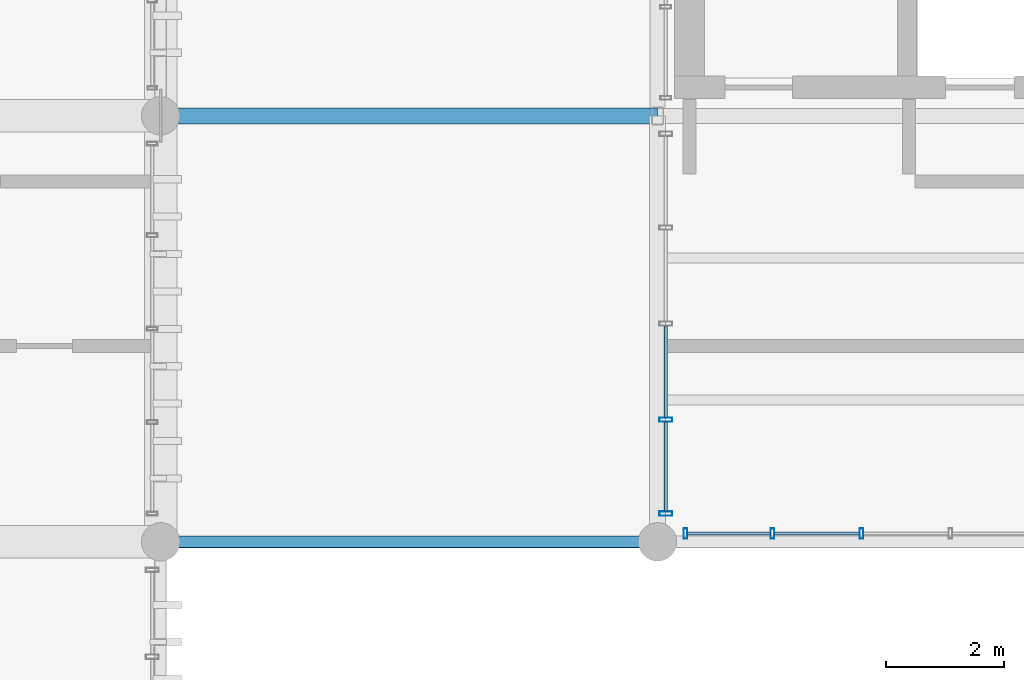
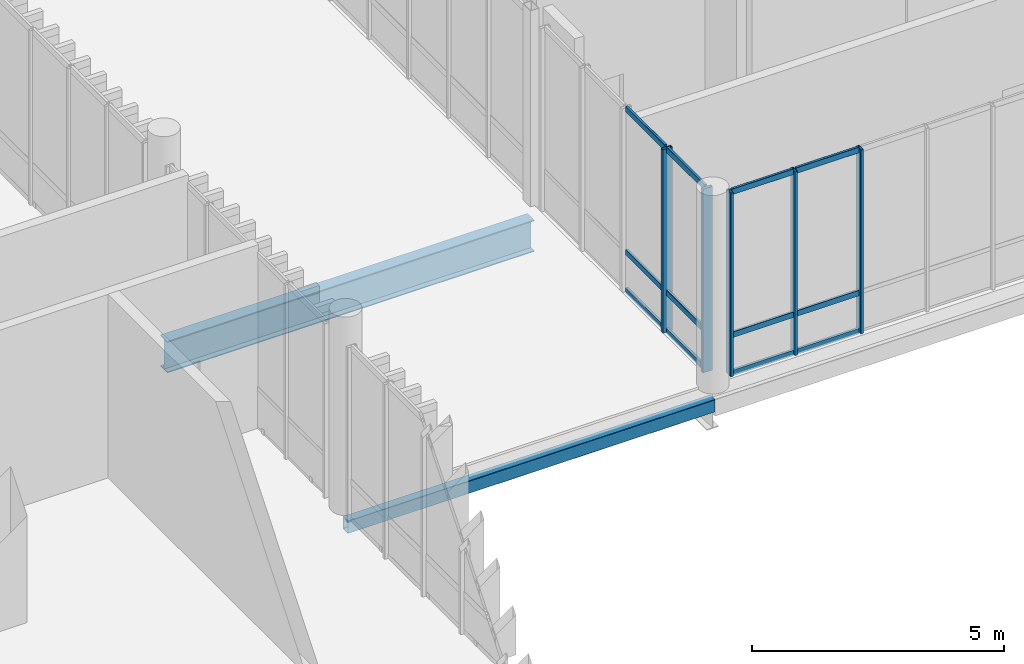
# One storey, part 21 of 81: 17 members, 2 beams, 2 elements without a shape of their own.
"""IFC4 building model written with IfcOpenShell, lengths in metres."""

from ifc_helpers import new_model, si_unit, direction, frame, origin_with_axes, origin_2d_with_axis, place, context, subcontext, project, spatial, hollow_rectangle, i_section, extrude, material, material_profile, profile_set, type_object, element, aggregate, save


model = new_model("IFC4")

# Units and contexts
model_context = context("Model", 3, precision=1e-05, world=origin_with_axes(), true_north=direction((0.0, 1.0)))
body_context = subcontext(model_context, "Body", "Model", "MODEL_VIEW")
ifc_project = project(units=[si_unit("LENGTHUNIT", "METRE"), si_unit("AREAUNIT", "SQUARE_METRE"), si_unit("VOLUMEUNIT", "CUBIC_METRE"), si_unit("PLANEANGLEUNIT", "RADIAN"), si_unit("MASSUNIT", "GRAM", prefix="KILO"), si_unit("THERMODYNAMICTEMPERATUREUNIT", "KELVIN")], contexts=[model_context])

# Site, building, storey
site_placement = place(None, origin_with_axes())
site = spatial("IfcSite", under=ifc_project, at=site_placement, CompositionType="ELEMENT")
building_placement = place(site_placement, origin_with_axes())
building = spatial("IfcBuilding", under=site, at=building_placement, Name="Montbau Bow Law Courts", CompositionType="ELEMENT")
storey_placement = place(building_placement, frame((0.0, 0.0, 24.9), z_axis=(0.0, 0.0, 1.0), x_axis=(1.0, 0.0, 0.0)))
storey = spatial("IfcBuildingStorey", under=building, at=storey_placement, Name="L05", CompositionType="ELEMENT", Elevation=24.9)

# Beams
ifc_material_1 = material(Name="Steel CSA G40.21 Grade 350W (350 MPa)", Category="steel")
ifc_material_profile_1 = material_profile(ifc_material_1, i_section(OverallWidth=0.267, OverallDepth=0.766, WebThickness=0.0149, FlangeThickness=0.0236, at=origin_2d_with_axis()), Name="W760X185", Category="Main", Priority=0)
ifc_profile_set_1 = profile_set([ifc_material_profile_1], Name="Steel CSA G40.21 Grade 350W (350 MPa)")
beam_type_1 = type_object("IfcBeamType", Name="B-FLR-03", PredefinedType="BEAM", material=ifc_profile_set_1)
beam_1_placement = place(None, frame((46.8, 46.2, 24.217), z_axis=(1.0, 0.0, 0.0), x_axis=(0.0, 1.0, 0.0)))
element("IfcBeam", 1, at=beam_1_placement, inside=storey, type_object=beam_type_1, Name="BM-L05-S0962:bm2_0965", PredefinedType="BEAM", context=body_context, shape_type="SweptSolid", body=[
    extrude(i_section(OverallWidth=0.267, OverallDepth=0.766, WebThickness=0.0149, FlangeThickness=0.0236, at=origin_2d_with_axis()), origin_with_axes(), (0.0, 0.0, 1.0), 8.4),
])
ifc_material_2 = material(Name="Steel CSA G40.21 Grade 350WT (350 MPa)", Category="steel")
ifc_material_profile_2 = material_profile(ifc_material_2, hollow_rectangle(XDim=0.203, YDim=0.305, WallThickness=0.0127, InnerFilletRadius=0.0254, OuterFilletRadius=0.0127, at=origin_2d_with_axis()), Name="HSS305X203X13", Category="Main", Priority=0)
ifc_profile_set_2 = profile_set([ifc_material_profile_2], Name="Steel CSA G40.21 Grade 350WT (350 MPa)")
beam_type_2 = type_object("IfcBeamType", Name="B-SPN-02", PredefinedType="SPANDREL", material=ifc_profile_set_2)
beam_2_placement = place(None, frame((46.8, 39.0, 24.448), z_axis=(1.0, 0.0, 0.0), x_axis=(0.0, 1.0, 0.0)))
element("IfcBeam", 2, at=beam_2_placement, inside=storey, type_object=beam_type_2, Name="SPN-L05-S0956:bm2_0959", PredefinedType="SPANDREL", context=body_context, shape_type="SweptSolid", body=[
    extrude(hollow_rectangle(XDim=0.203, YDim=0.305, WallThickness=0.0127, InnerFilletRadius=0.0254, OuterFilletRadius=0.0127, at=origin_2d_with_axis()), origin_with_axes(), (0.0, 0.0, 1.0), 8.4),
])

# Curtain wall, members
ifc_material_3 = material(Name="Thermally Broken Extruded Aluminium AA 6063-T6", Category="aluminium")
curtain_wall_type = type_object("IfcCurtainWallType", Name="CW-NCK-02", PredefinedType="NOTDEFINED", material=ifc_material_3)
curtain_wall_1_placement = place(None, frame((55.34, 39.44, 24.9), z_axis=(0.0, 0.0, 1.0), x_axis=(1.0, 0.0, 0.0)))
curtain_wall_1 = element("IfcCurtainWall", 3, at=curtain_wall_1_placement, inside=storey, type_object=curtain_wall_type, Name="CW-L05-219:cw_0219", PredefinedType="NOTDEFINED")
ifc_material_profile_3 = material_profile(ifc_material_3, hollow_rectangle(XDim=0.075, YDim=0.22, WallThickness=0.005, InnerFilletRadius=0.01, OuterFilletRadius=0.005, at=origin_2d_with_axis()), Name="CWM-220X75", Category="Main", Priority=0)
ifc_profile_set_3 = profile_set([ifc_material_profile_3], Name="Thermally Broken Extruded Aluminium AA 6063-T6")
member_type_1 = type_object("IfcMemberType", Name="M-MUL-01", PredefinedType="MULLION", material=ifc_profile_set_3)
member_1_placement = place(None, frame((55.34, 39.477, 24.9), z_axis=(0.0, 0.0, 1.0), x_axis=(0.0, 1.0, 0.0)))
member_1 = element("IfcMember", 4, at=member_1_placement, type_object=member_type_1, Name="CW-L05-219-M01:cw_0219_M01", PredefinedType="MULLION", context=body_context, shape_type="SweptSolid", body=[
    extrude(hollow_rectangle(XDim=0.075, YDim=0.22, WallThickness=0.005, InnerFilletRadius=0.01, OuterFilletRadius=0.005, at=origin_2d_with_axis()), origin_with_axes(), (0.0, 0.0, 1.0), 4.44),
])
member_2_placement = place(None, frame((55.34, 41.063, 24.9), z_axis=(0.0, 0.0, 1.0), x_axis=(0.0, 1.0, 0.0)))
member_2 = element("IfcMember", 5, at=member_2_placement, type_object=member_type_1, Name="CW-L05-219-M02:cw_0219_M02", PredefinedType="MULLION", context=body_context, shape_type="SweptSolid", body=[
    extrude(hollow_rectangle(XDim=0.075, YDim=0.22, WallThickness=0.005, InnerFilletRadius=0.01, OuterFilletRadius=0.005, at=origin_2d_with_axis()), origin_with_axes(), (0.0, 0.0, 1.0), 4.44),
])

curtain_wall_2_placement = place(None, frame((55.64, 39.14, 24.9), z_axis=(0.0, 0.0, 1.0), x_axis=(1.0, 0.0, 0.0)))
curtain_wall_2 = element("IfcCurtainWall", 6, at=curtain_wall_2_placement, inside=storey, type_object=curtain_wall_type, Name="CW-L05-211:cw_0211", PredefinedType="NOTDEFINED")
ifc_material_profile_4 = material_profile(ifc_material_3, hollow_rectangle(XDim=0.065, YDim=0.18, WallThickness=0.005, InnerFilletRadius=0.01, OuterFilletRadius=0.005, at=origin_2d_with_axis()), Name="CWM-180X65", Category="Main", Priority=0)
ifc_profile_set_4 = profile_set([ifc_material_profile_4], Name="Thermally Broken Extruded Aluminium AA 6063-T6")
member_type_2 = type_object("IfcMemberType", Name="M-MUL-02", PredefinedType="MULLION", material=ifc_profile_set_4)
member_3_placement = place(None, frame((55.673, 39.14, 24.9), z_axis=(0.0, 0.0, 1.0), x_axis=(1.0, 0.0, 0.0)))
member_3 = element("IfcMember", 7, at=member_3_placement, type_object=member_type_2, Name="CW-L05-211-M01:cw_0211_M01", PredefinedType="MULLION", context=body_context, shape_type="SweptSolid", body=[
    extrude(hollow_rectangle(XDim=0.065, YDim=0.18, WallThickness=0.005, InnerFilletRadius=0.01, OuterFilletRadius=0.005, at=origin_2d_with_axis()), origin_with_axes(), (0.0, 0.0, 1.0), 4.44),
])
member_4_placement = place(None, frame((57.144, 39.14, 24.9), z_axis=(0.0, 0.0, 1.0), x_axis=(1.0, 0.0, 0.0)))
member_4 = element("IfcMember", 8, at=member_4_placement, type_object=member_type_2, Name="CW-L05-211-M02:cw_0211_M02", PredefinedType="MULLION", context=body_context, shape_type="SweptSolid", body=[
    extrude(hollow_rectangle(XDim=0.065, YDim=0.18, WallThickness=0.005, InnerFilletRadius=0.01, OuterFilletRadius=0.005, at=origin_2d_with_axis()), origin_with_axes(), (0.0, 0.0, 1.0), 4.44),
])
member_5_placement = place(None, frame((58.648, 39.14, 24.9), z_axis=(0.0, 0.0, 1.0), x_axis=(1.0, 0.0, 0.0)))
member_5 = element("IfcMember", 9, at=member_5_placement, type_object=member_type_2, Name="CW-L05-211-M03:cw_0211_M03", PredefinedType="MULLION", context=body_context, shape_type="SweptSolid", body=[
    extrude(hollow_rectangle(XDim=0.065, YDim=0.18, WallThickness=0.005, InnerFilletRadius=0.01, OuterFilletRadius=0.005, at=origin_2d_with_axis()), origin_with_axes(), (0.0, 0.0, 1.0), 4.44),
])
ifc_material_profile_5 = material_profile(ifc_material_3, hollow_rectangle(XDim=0.055, YDim=0.14, WallThickness=0.004, InnerFilletRadius=0.008, OuterFilletRadius=0.004, at=origin_2d_with_axis()), Name="CWT-140X55", Category="Main", Priority=0)
ifc_profile_set_5 = profile_set([ifc_material_profile_5], Name="Thermally Broken Extruded Aluminium AA 6063-T6")
member_type_3 = type_object("IfcMemberType", Name="M-TRN-02", PredefinedType="USERDEFINED", material=ifc_profile_set_5)
member_6_placement = place(None, frame((55.708, 39.14, 24.927), z_axis=(1.0, 0.0, 0.0), x_axis=(0.0, 1.0, 0.0)))
member_6 = element("IfcMember", 10, at=member_6_placement, type_object=member_type_3, Name="CW-L05-211-T01-1:cw_0211_T01_1", ObjectType="TRANSOM", PredefinedType="USERDEFINED", context=body_context, shape_type="SweptSolid", body=[
    extrude(hollow_rectangle(XDim=0.055, YDim=0.14, WallThickness=0.004, InnerFilletRadius=0.008, OuterFilletRadius=0.004, at=origin_2d_with_axis()), origin_with_axes(), (0.0, 0.0, 1.0), 1.402),
])
member_7_placement = place(None, frame((55.708, 39.14, 25.85), z_axis=(1.0, 0.0, 0.0), x_axis=(0.0, 1.0, 0.0)))
member_7 = element("IfcMember", 11, at=member_7_placement, type_object=member_type_3, Name="CW-L05-211-T01-2:cw_0211_T01_2", ObjectType="TRANSOM", PredefinedType="USERDEFINED", context=body_context, shape_type="SweptSolid", body=[
    extrude(hollow_rectangle(XDim=0.055, YDim=0.14, WallThickness=0.004, InnerFilletRadius=0.008, OuterFilletRadius=0.004, at=origin_2d_with_axis()), origin_with_axes(), (0.0, 0.0, 1.0), 1.402),
])
member_8_placement = place(None, frame((55.708, 39.14, 29.312), z_axis=(1.0, 0.0, 0.0), x_axis=(0.0, 1.0, 0.0)))
member_8 = element("IfcMember", 12, at=member_8_placement, type_object=member_type_3, Name="CW-L05-211-T01-3:cw_0211_T01_3", ObjectType="TRANSOM", PredefinedType="USERDEFINED", context=body_context, shape_type="SweptSolid", body=[
    extrude(hollow_rectangle(XDim=0.055, YDim=0.14, WallThickness=0.004, InnerFilletRadius=0.008, OuterFilletRadius=0.004, at=origin_2d_with_axis()), origin_with_axes(), (0.0, 0.0, 1.0), 1.402),
])
member_9_placement = place(None, frame((57.178, 39.14, 24.927), z_axis=(1.0, 0.0, 0.0), x_axis=(0.0, 1.0, 0.0)))
member_9 = element("IfcMember", 13, at=member_9_placement, type_object=member_type_3, Name="CW-L05-211-T02-1:cw_0211_T02_1", ObjectType="TRANSOM", PredefinedType="USERDEFINED", context=body_context, shape_type="SweptSolid", body=[
    extrude(hollow_rectangle(XDim=0.055, YDim=0.14, WallThickness=0.004, InnerFilletRadius=0.008, OuterFilletRadius=0.004, at=origin_2d_with_axis()), origin_with_axes(), (0.0, 0.0, 1.0), 1.436),
])
member_10_placement = place(None, frame((57.178, 39.14, 25.85), z_axis=(1.0, 0.0, 0.0), x_axis=(0.0, 1.0, 0.0)))
member_10 = element("IfcMember", 14, at=member_10_placement, type_object=member_type_3, Name="CW-L05-211-T02-2:cw_0211_T02_2", ObjectType="TRANSOM", PredefinedType="USERDEFINED", context=body_context, shape_type="SweptSolid", body=[
    extrude(hollow_rectangle(XDim=0.055, YDim=0.14, WallThickness=0.004, InnerFilletRadius=0.008, OuterFilletRadius=0.004, at=origin_2d_with_axis()), origin_with_axes(), (0.0, 0.0, 1.0), 1.436),
])
member_11_placement = place(None, frame((57.178, 39.14, 29.312), z_axis=(1.0, 0.0, 0.0), x_axis=(0.0, 1.0, 0.0)))
member_11 = element("IfcMember", 15, at=member_11_placement, type_object=member_type_3, Name="CW-L05-211-T02-3:cw_0211_T02_3", ObjectType="TRANSOM", PredefinedType="USERDEFINED", context=body_context, shape_type="SweptSolid", body=[
    extrude(hollow_rectangle(XDim=0.055, YDim=0.14, WallThickness=0.004, InnerFilletRadius=0.008, OuterFilletRadius=0.004, at=origin_2d_with_axis()), origin_with_axes(), (0.0, 0.0, 1.0), 1.436),
])
aggregate(curtain_wall_2, [member_3, member_4, member_5, member_6, member_7, member_8, member_9, member_10, member_11])

# Member
member_12_placement = place(None, frame((55.34, 39.516, 24.927), z_axis=(0.0, 1.0, 0.0), x_axis=(-1.0, 0.0, 0.0)))
member_12 = element("IfcMember", 16, at=member_12_placement, type_object=member_type_3, Name="CW-L05-219-T01-1:cw_0219_T01_1", ObjectType="TRANSOM", PredefinedType="USERDEFINED", context=body_context, shape_type="SweptSolid", body=[
    extrude(hollow_rectangle(XDim=0.055, YDim=0.14, WallThickness=0.004, InnerFilletRadius=0.008, OuterFilletRadius=0.004, at=origin_2d_with_axis()), origin_with_axes(), (0.0, 0.0, 1.0), 1.507),
])

member_13_placement = place(None, frame((55.34, 39.516, 25.85), z_axis=(0.0, 1.0, 0.0), x_axis=(-1.0, 0.0, 0.0)))
member_13 = element("IfcMember", 17, at=member_13_placement, type_object=member_type_3, Name="CW-L05-219-T01-2:cw_0219_T01_2", ObjectType="TRANSOM", PredefinedType="USERDEFINED", context=body_context, shape_type="SweptSolid", body=[
    extrude(hollow_rectangle(XDim=0.055, YDim=0.14, WallThickness=0.004, InnerFilletRadius=0.008, OuterFilletRadius=0.004, at=origin_2d_with_axis()), origin_with_axes(), (0.0, 0.0, 1.0), 1.507),
])

member_14_placement = place(None, frame((55.34, 39.516, 29.312), z_axis=(0.0, 1.0, 0.0), x_axis=(-1.0, 0.0, 0.0)))
member_14 = element("IfcMember", 18, at=member_14_placement, type_object=member_type_3, Name="CW-L05-219-T01-3:cw_0219_T01_3", ObjectType="TRANSOM", PredefinedType="USERDEFINED", context=body_context, shape_type="SweptSolid", body=[
    extrude(hollow_rectangle(XDim=0.055, YDim=0.14, WallThickness=0.004, InnerFilletRadius=0.008, OuterFilletRadius=0.004, at=origin_2d_with_axis()), origin_with_axes(), (0.0, 0.0, 1.0), 1.507),
])

member_15_placement = place(None, frame((55.34, 41.103, 24.927), z_axis=(0.0, 1.0, 0.0), x_axis=(-1.0, 0.0, 0.0)))
member_15 = element("IfcMember", 19, at=member_15_placement, type_object=member_type_3, Name="CW-L05-219-T02-1:cw_0219_T02_1", ObjectType="TRANSOM", PredefinedType="USERDEFINED", context=body_context, shape_type="SweptSolid", body=[
    extrude(hollow_rectangle(XDim=0.055, YDim=0.14, WallThickness=0.004, InnerFilletRadius=0.008, OuterFilletRadius=0.004, at=origin_2d_with_axis()), origin_with_axes(), (0.0, 0.0, 1.0), 1.544),
])

member_16_placement = place(None, frame((55.34, 41.103, 25.85), z_axis=(0.0, 1.0, 0.0), x_axis=(-1.0, 0.0, 0.0)))
member_16 = element("IfcMember", 20, at=member_16_placement, type_object=member_type_3, Name="CW-L05-219-T02-2:cw_0219_T02_2", ObjectType="TRANSOM", PredefinedType="USERDEFINED", context=body_context, shape_type="SweptSolid", body=[
    extrude(hollow_rectangle(XDim=0.055, YDim=0.14, WallThickness=0.004, InnerFilletRadius=0.008, OuterFilletRadius=0.004, at=origin_2d_with_axis()), origin_with_axes(), (0.0, 0.0, 1.0), 1.544),
])

member_17_placement = place(None, frame((55.34, 41.103, 29.312), z_axis=(0.0, 1.0, 0.0), x_axis=(-1.0, 0.0, 0.0)))
member_17 = element("IfcMember", 21, at=member_17_placement, type_object=member_type_3, Name="CW-L05-219-T02-3:cw_0219_T02_3", ObjectType="TRANSOM", PredefinedType="USERDEFINED", context=body_context, shape_type="SweptSolid", body=[
    extrude(hollow_rectangle(XDim=0.055, YDim=0.14, WallThickness=0.004, InnerFilletRadius=0.008, OuterFilletRadius=0.004, at=origin_2d_with_axis()), origin_with_axes(), (0.0, 0.0, 1.0), 1.544),
])

aggregate(curtain_wall_1, [member_1, member_2, member_12, member_13, member_14, member_15, member_16, member_17])

save(model, "model.ifc")
